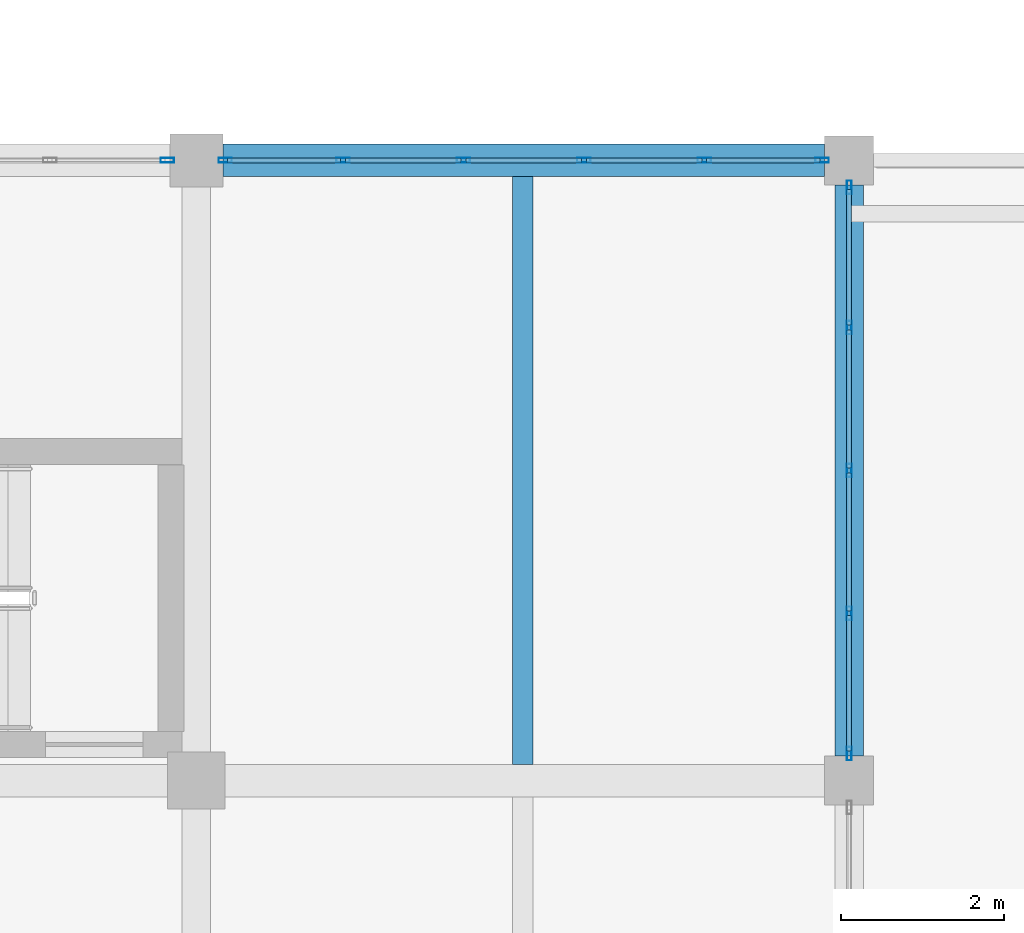
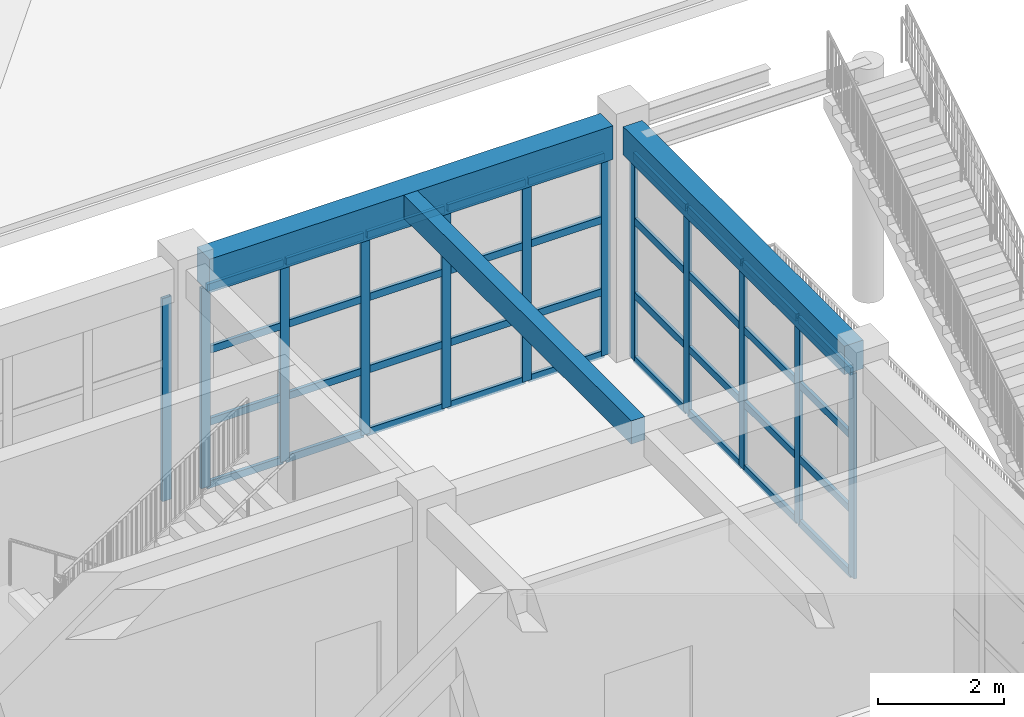
# One storey, part 28 of 50: 48 members, 3 beams, 3 elements without a shape of their own.
"""IFC4 building model written with IfcOpenShell, lengths in metres."""

from ifc_helpers import new_model, si_unit, direction, frame, origin, origin_2d, place, context, subcontext, project, spatial, rectangle, hollow_rectangle, extrude, material, material_profile, profile_set, type_object, element, aggregate, save


model = new_model("IFC4")

# Units and contexts
model_context = context("Model", 3, precision=1e-05, world=origin(), true_north=direction((0.0, 1.0)))
body_context = subcontext(model_context, "Body", "Model", "MODEL_VIEW")
ifc_project = project(units=[si_unit("LENGTHUNIT", "METRE"), si_unit("AREAUNIT", "SQUARE_METRE"), si_unit("VOLUMEUNIT", "CUBIC_METRE"), si_unit("PLANEANGLEUNIT", "RADIAN"), si_unit("MASSUNIT", "GRAM", prefix="KILO")], contexts=[model_context])

# Site, building, storey
site_placement = place(None, origin())
site = spatial("IfcSite", under=ifc_project, at=site_placement, CompositionType="ELEMENT")
building_placement = place(site_placement, origin())
building = spatial("IfcBuilding", under=site, at=building_placement, Name="Zantavel Square City Hall", CompositionType="ELEMENT")
storey_placement = place(building_placement, frame((0.0, 0.0, 18.89990234375)))
storey = spatial("IfcBuildingStorey", under=building, at=storey_placement, Name="L05", CompositionType="ELEMENT", Elevation=18.89990234375)

# Curtain wall, member
ifc_material_1 = material(Name="Anodised aluminium 6063-T6", Category="aluminium")
curtain_wall_type_1 = type_object("IfcCurtainWallType", Name="Curtain Wall TRV1 7350x3920", PredefinedType="USERDEFINED", material=ifc_material_1)
curtain_wall_1_placement = place(storey_placement, origin())
curtain_wall_1 = element("IfcCurtainWall", 1, at=curtain_wall_1_placement, inside=storey, type_object=curtain_wall_type_1, Name="L05 Glazed Curtain Wall CW-L05-127", ObjectType="GLAZED CURTAIN WALL", PredefinedType="USERDEFINED")
ifc_material_profile_1 = material_profile(ifc_material_1, hollow_rectangle(XDim=0.06005859375, YDim=0.1650390625, WallThickness=0.00390625, at=origin_2d()), Name="ALU 60x165x4")
ifc_profile_set_1 = profile_set([ifc_material_profile_1], Name="Anodised aluminium 6063-T6")
member_type_1 = type_object("IfcMemberType", Name="CW Council Gallery Mullion ALU 60x165x4", PredefinedType="MULLION", material=ifc_profile_set_1)
member_1_placement = place(storey_placement, frame((103.64501953125, 68.39990234375, 0.0), z_axis=(0.0, 0.0, 1.0), x_axis=(0.0, 1.0, 0.0)))
member_1 = element("IfcMember", 2, at=member_1_placement, type_object=member_type_1, Name="CW-127 mullion 6", PredefinedType="MULLION", context=body_context, shape_type="SweptSolid", body=[
    extrude(hollow_rectangle(XDim=0.06005859375, YDim=0.1650390625, WallThickness=0.00390625, at=origin_2d()), origin(), (0.0, 0.0, 1.0), 3.920166015625),
])
aggregate(curtain_wall_1, [member_1])

# Curtain wall, members
curtain_wall_type_2 = type_object("IfcCurtainWallType", Name="Curtain Wall TRV1 7375x3870", PredefinedType="USERDEFINED", material=ifc_material_1)
curtain_wall_2_placement = place(storey_placement, origin())
curtain_wall_2 = element("IfcCurtainWall", 3, at=curtain_wall_2_placement, inside=storey, type_object=curtain_wall_type_2, Name="L05 Glazed Curtain Wall CW-L05-128", ObjectType="GLAZED CURTAIN WALL", PredefinedType="USERDEFINED")
member_2_placement = place(storey_placement, frame((104.35498046875, 68.39990234375, 0.0), z_axis=(0.0, 0.0, 1.0), x_axis=(0.0, 1.0, 0.0)))
member_2 = element("IfcMember", 4, at=member_2_placement, type_object=member_type_1, Name="CW-128 mullion 1", PredefinedType="MULLION", context=body_context, shape_type="SweptSolid", body=[
    extrude(hollow_rectangle(XDim=0.06005859375, YDim=0.1650390625, WallThickness=0.00390625, at=origin_2d()), origin(), (0.0, 0.0, 1.0), 3.8701171875),
])
member_3_placement = place(storey_placement, frame((105.800048828125, 68.39990234375, 0.0), z_axis=(0.0, 0.0, 1.0), x_axis=(0.0, 1.0, 0.0)))
member_3 = element("IfcMember", 5, at=member_3_placement, type_object=member_type_1, Name="CW-128 mullion 2", PredefinedType="MULLION", context=body_context, shape_type="SweptSolid", body=[
    extrude(hollow_rectangle(XDim=0.06005859375, YDim=0.1650390625, WallThickness=0.00390625, at=origin_2d()), origin(), (0.0, 0.0, 1.0), 3.8701171875),
])
member_4_placement = place(storey_placement, frame((107.27490234375, 68.39990234375, 0.0), z_axis=(0.0, 0.0, 1.0), x_axis=(0.0, 1.0, 0.0)))
member_4 = element("IfcMember", 6, at=member_4_placement, type_object=member_type_1, Name="CW-128 mullion 3", PredefinedType="MULLION", context=body_context, shape_type="SweptSolid", body=[
    extrude(hollow_rectangle(XDim=0.06005859375, YDim=0.1650390625, WallThickness=0.00390625, at=origin_2d()), origin(), (0.0, 0.0, 1.0), 3.8701171875),
])
member_5_placement = place(storey_placement, frame((108.75, 68.39990234375, 0.0), z_axis=(0.0, 0.0, 1.0), x_axis=(0.0, 1.0, 0.0)))
member_5 = element("IfcMember", 7, at=member_5_placement, type_object=member_type_1, Name="CW-128 mullion 4", PredefinedType="MULLION", context=body_context, shape_type="SweptSolid", body=[
    extrude(hollow_rectangle(XDim=0.06005859375, YDim=0.1650390625, WallThickness=0.00390625, at=origin_2d()), origin(), (0.0, 0.0, 1.0), 3.8701171875),
])
member_6_placement = place(storey_placement, frame((110.22509765625, 68.39990234375, 0.0), z_axis=(0.0, 0.0, 1.0), x_axis=(0.0, 1.0, 0.0)))
member_6 = element("IfcMember", 8, at=member_6_placement, type_object=member_type_1, Name="CW-128 mullion 5", PredefinedType="MULLION", context=body_context, shape_type="SweptSolid", body=[
    extrude(hollow_rectangle(XDim=0.06005859375, YDim=0.1650390625, WallThickness=0.00390625, at=origin_2d()), origin(), (0.0, 0.0, 1.0), 3.8701171875),
])
member_7_placement = place(storey_placement, frame((111.669921875, 68.39990234375, 0.0), z_axis=(0.0, 0.0, 1.0), x_axis=(0.0, 1.0, 0.0)))
member_7 = element("IfcMember", 9, at=member_7_placement, type_object=member_type_1, Name="CW-128 mullion 6", PredefinedType="MULLION", context=body_context, shape_type="SweptSolid", body=[
    extrude(hollow_rectangle(XDim=0.06005859375, YDim=0.1650390625, WallThickness=0.00390625, at=origin_2d()), origin(), (0.0, 0.0, 1.0), 3.8701171875),
])

curtain_wall_type_3 = type_object("IfcCurtainWallType", Name="Curtain Wall TRV1 7000x3970", PredefinedType="USERDEFINED", material=ifc_material_1)
curtain_wall_3_placement = place(storey_placement, origin())
curtain_wall_3 = element("IfcCurtainWall", 10, at=curtain_wall_3_placement, inside=storey, type_object=curtain_wall_type_3, Name="L05 Glazed Curtain Wall CW-L05-129", ObjectType="GLAZED CURTAIN WALL", PredefinedType="USERDEFINED")
member_8_placement = place(storey_placement, frame((112.0, 68.070068359375, 0.0), z_axis=(0.0, 0.0, 1.0), x_axis=(1.0, 0.0, 0.0)))
member_8 = element("IfcMember", 11, at=member_8_placement, type_object=member_type_1, Name="CW-129 mullion 1", PredefinedType="MULLION", context=body_context, shape_type="SweptSolid", body=[
    extrude(hollow_rectangle(XDim=0.06005859375, YDim=0.1650390625, WallThickness=0.00390625, at=origin_2d()), origin(), (0.0, 0.0, 1.0), 3.97021484375),
])
member_9_placement = place(storey_placement, frame((112.0, 66.35009765625, 0.0), z_axis=(0.0, 0.0, 1.0), x_axis=(1.0, 0.0, 0.0)))
member_9 = element("IfcMember", 12, at=member_9_placement, type_object=member_type_1, Name="CW-129 mullion 2", PredefinedType="MULLION", context=body_context, shape_type="SweptSolid", body=[
    extrude(hollow_rectangle(XDim=0.06005859375, YDim=0.1650390625, WallThickness=0.00390625, at=origin_2d()), origin(), (0.0, 0.0, 1.0), 3.97021484375),
])
member_10_placement = place(storey_placement, frame((112.0, 64.60009765625, 0.0), z_axis=(0.0, 0.0, 1.0), x_axis=(1.0, 0.0, 0.0)))
member_10 = element("IfcMember", 13, at=member_10_placement, type_object=member_type_1, Name="CW-129 mullion 3", PredefinedType="MULLION", context=body_context, shape_type="SweptSolid", body=[
    extrude(hollow_rectangle(XDim=0.06005859375, YDim=0.1650390625, WallThickness=0.00390625, at=origin_2d()), origin(), (0.0, 0.0, 1.0), 3.97021484375),
])
member_11_placement = place(storey_placement, frame((112.0, 62.85009765625, 0.0), z_axis=(0.0, 0.0, 1.0), x_axis=(1.0, 0.0, 0.0)))
member_11 = element("IfcMember", 14, at=member_11_placement, type_object=member_type_1, Name="CW-129 mullion 4", PredefinedType="MULLION", context=body_context, shape_type="SweptSolid", body=[
    extrude(hollow_rectangle(XDim=0.06005859375, YDim=0.1650390625, WallThickness=0.00390625, at=origin_2d()), origin(), (0.0, 0.0, 1.0), 3.97021484375),
])
member_12_placement = place(storey_placement, frame((112.0, 61.1298828125, 0.0), z_axis=(0.0, 0.0, 1.0), x_axis=(1.0, 0.0, 0.0)))
member_12 = element("IfcMember", 15, at=member_12_placement, type_object=member_type_1, Name="CW-129 mullion 5", PredefinedType="MULLION", context=body_context, shape_type="SweptSolid", body=[
    extrude(hollow_rectangle(XDim=0.06005859375, YDim=0.1650390625, WallThickness=0.00390625, at=origin_2d()), origin(), (0.0, 0.0, 1.0), 3.97021484375),
])

# Member
ifc_material_profile_2 = material_profile(ifc_material_1, hollow_rectangle(XDim=0.06005859375, YDim=0.139892578125, WallThickness=0.00390625, at=origin_2d()), Name="ALU 60x140x4")
ifc_profile_set_2 = profile_set([ifc_material_profile_2], Name="Anodised aluminium 6063-T6")
member_type_2 = type_object("IfcMemberType", Name="CW Transom ALU 60x140x4", PredefinedType="USERDEFINED", material=ifc_profile_set_2)
member_13_placement = place(storey_placement, frame((104.385009765625, 68.39990234375, 0.030029296875), z_axis=(1.0, 0.0, 0.0), x_axis=(0.0, 1.0, 0.0)))
member_13 = element("IfcMember", 16, at=member_13_placement, type_object=member_type_2, Name="CW-128 transom 1.1", ObjectType="TRANSOM", PredefinedType="USERDEFINED", context=body_context, shape_type="SweptSolid", body=[
    extrude(hollow_rectangle(XDim=0.06005859375, YDim=0.139892578125, WallThickness=0.00390625, at=origin_2d()), origin(), (0.0, 0.0, 1.0), 1.385009765625),
])

member_14_placement = place(storey_placement, frame((104.385009765625, 68.39990234375, 1.238037109375), z_axis=(1.0, 0.0, 0.0), x_axis=(0.0, 1.0, 0.0)))
member_14 = element("IfcMember", 17, at=member_14_placement, type_object=member_type_2, Name="CW-128 transom 1.2", ObjectType="TRANSOM", PredefinedType="USERDEFINED", context=body_context, shape_type="SweptSolid", body=[
    extrude(hollow_rectangle(XDim=0.06005859375, YDim=0.139892578125, WallThickness=0.00390625, at=origin_2d()), origin(), (0.0, 0.0, 1.0), 1.385009765625),
])

member_15_placement = place(storey_placement, frame((104.385009765625, 68.39990234375, 2.632080078125), z_axis=(1.0, 0.0, 0.0), x_axis=(0.0, 1.0, 0.0)))
member_15 = element("IfcMember", 18, at=member_15_placement, type_object=member_type_2, Name="CW-128 transom 1.3", ObjectType="TRANSOM", PredefinedType="USERDEFINED", context=body_context, shape_type="SweptSolid", body=[
    extrude(hollow_rectangle(XDim=0.06005859375, YDim=0.139892578125, WallThickness=0.00390625, at=origin_2d()), origin(), (0.0, 0.0, 1.0), 1.385009765625),
])

member_16_placement = place(storey_placement, frame((104.385009765625, 68.39990234375, 3.840087890625), z_axis=(1.0, 0.0, 0.0), x_axis=(0.0, 1.0, 0.0)))
member_16 = element("IfcMember", 19, at=member_16_placement, type_object=member_type_2, Name="CW-128 transom 1.4", ObjectType="TRANSOM", PredefinedType="USERDEFINED", context=body_context, shape_type="SweptSolid", body=[
    extrude(hollow_rectangle(XDim=0.06005859375, YDim=0.139892578125, WallThickness=0.00390625, at=origin_2d()), origin(), (0.0, 0.0, 1.0), 1.385009765625),
])

member_17_placement = place(storey_placement, frame((105.830078125, 68.39990234375, 0.030029296875), z_axis=(1.0, 0.0, 0.0), x_axis=(0.0, 1.0, 0.0)))
member_17 = element("IfcMember", 20, at=member_17_placement, type_object=member_type_2, Name="CW-128 transom 2.1", ObjectType="TRANSOM", PredefinedType="USERDEFINED", context=body_context, shape_type="SweptSolid", body=[
    extrude(hollow_rectangle(XDim=0.06005859375, YDim=0.139892578125, WallThickness=0.00390625, at=origin_2d()), origin(), (0.0, 0.0, 1.0), 1.4150390625),
])

member_18_placement = place(storey_placement, frame((105.830078125, 68.39990234375, 1.238037109375), z_axis=(1.0, 0.0, 0.0), x_axis=(0.0, 1.0, 0.0)))
member_18 = element("IfcMember", 21, at=member_18_placement, type_object=member_type_2, Name="CW-128 transom 2.2", ObjectType="TRANSOM", PredefinedType="USERDEFINED", context=body_context, shape_type="SweptSolid", body=[
    extrude(hollow_rectangle(XDim=0.06005859375, YDim=0.139892578125, WallThickness=0.00390625, at=origin_2d()), origin(), (0.0, 0.0, 1.0), 1.4150390625),
])

member_19_placement = place(storey_placement, frame((105.830078125, 68.39990234375, 2.632080078125), z_axis=(1.0, 0.0, 0.0), x_axis=(0.0, 1.0, 0.0)))
member_19 = element("IfcMember", 22, at=member_19_placement, type_object=member_type_2, Name="CW-128 transom 2.3", ObjectType="TRANSOM", PredefinedType="USERDEFINED", context=body_context, shape_type="SweptSolid", body=[
    extrude(hollow_rectangle(XDim=0.06005859375, YDim=0.139892578125, WallThickness=0.00390625, at=origin_2d()), origin(), (0.0, 0.0, 1.0), 1.4150390625),
])

member_20_placement = place(storey_placement, frame((105.830078125, 68.39990234375, 3.840087890625), z_axis=(1.0, 0.0, 0.0), x_axis=(0.0, 1.0, 0.0)))
member_20 = element("IfcMember", 23, at=member_20_placement, type_object=member_type_2, Name="CW-128 transom 2.4", ObjectType="TRANSOM", PredefinedType="USERDEFINED", context=body_context, shape_type="SweptSolid", body=[
    extrude(hollow_rectangle(XDim=0.06005859375, YDim=0.139892578125, WallThickness=0.00390625, at=origin_2d()), origin(), (0.0, 0.0, 1.0), 1.4150390625),
])

member_21_placement = place(storey_placement, frame((107.304931640625, 68.39990234375, 0.030029296875), z_axis=(1.0, 0.0, 0.0), x_axis=(0.0, 1.0, 0.0)))
member_21 = element("IfcMember", 24, at=member_21_placement, type_object=member_type_2, Name="CW-128 transom 3.1", ObjectType="TRANSOM", PredefinedType="USERDEFINED", context=body_context, shape_type="SweptSolid", body=[
    extrude(hollow_rectangle(XDim=0.06005859375, YDim=0.139892578125, WallThickness=0.00390625, at=origin_2d()), origin(), (0.0, 0.0, 1.0), 1.4150390625),
])

member_22_placement = place(storey_placement, frame((107.304931640625, 68.39990234375, 1.238037109375), z_axis=(1.0, 0.0, 0.0), x_axis=(0.0, 1.0, 0.0)))
member_22 = element("IfcMember", 25, at=member_22_placement, type_object=member_type_2, Name="CW-128 transom 3.2", ObjectType="TRANSOM", PredefinedType="USERDEFINED", context=body_context, shape_type="SweptSolid", body=[
    extrude(hollow_rectangle(XDim=0.06005859375, YDim=0.139892578125, WallThickness=0.00390625, at=origin_2d()), origin(), (0.0, 0.0, 1.0), 1.4150390625),
])

member_23_placement = place(storey_placement, frame((107.304931640625, 68.39990234375, 2.632080078125), z_axis=(1.0, 0.0, 0.0), x_axis=(0.0, 1.0, 0.0)))
member_23 = element("IfcMember", 26, at=member_23_placement, type_object=member_type_2, Name="CW-128 transom 3.3", ObjectType="TRANSOM", PredefinedType="USERDEFINED", context=body_context, shape_type="SweptSolid", body=[
    extrude(hollow_rectangle(XDim=0.06005859375, YDim=0.139892578125, WallThickness=0.00390625, at=origin_2d()), origin(), (0.0, 0.0, 1.0), 1.4150390625),
])

member_24_placement = place(storey_placement, frame((107.304931640625, 68.39990234375, 3.840087890625), z_axis=(1.0, 0.0, 0.0), x_axis=(0.0, 1.0, 0.0)))
member_24 = element("IfcMember", 27, at=member_24_placement, type_object=member_type_2, Name="CW-128 transom 3.4", ObjectType="TRANSOM", PredefinedType="USERDEFINED", context=body_context, shape_type="SweptSolid", body=[
    extrude(hollow_rectangle(XDim=0.06005859375, YDim=0.139892578125, WallThickness=0.00390625, at=origin_2d()), origin(), (0.0, 0.0, 1.0), 1.4150390625),
])

member_25_placement = place(storey_placement, frame((108.780029296875, 68.39990234375, 0.030029296875), z_axis=(1.0, 0.0, 0.0), x_axis=(0.0, 1.0, 0.0)))
member_25 = element("IfcMember", 28, at=member_25_placement, type_object=member_type_2, Name="CW-128 transom 4.1", ObjectType="TRANSOM", PredefinedType="USERDEFINED", context=body_context, shape_type="SweptSolid", body=[
    extrude(hollow_rectangle(XDim=0.06005859375, YDim=0.139892578125, WallThickness=0.00390625, at=origin_2d()), origin(), (0.0, 0.0, 1.0), 1.4150390625),
])

member_26_placement = place(storey_placement, frame((108.780029296875, 68.39990234375, 1.238037109375), z_axis=(1.0, 0.0, 0.0), x_axis=(0.0, 1.0, 0.0)))
member_26 = element("IfcMember", 29, at=member_26_placement, type_object=member_type_2, Name="CW-128 transom 4.2", ObjectType="TRANSOM", PredefinedType="USERDEFINED", context=body_context, shape_type="SweptSolid", body=[
    extrude(hollow_rectangle(XDim=0.06005859375, YDim=0.139892578125, WallThickness=0.00390625, at=origin_2d()), origin(), (0.0, 0.0, 1.0), 1.4150390625),
])

member_27_placement = place(storey_placement, frame((108.780029296875, 68.39990234375, 2.632080078125), z_axis=(1.0, 0.0, 0.0), x_axis=(0.0, 1.0, 0.0)))
member_27 = element("IfcMember", 30, at=member_27_placement, type_object=member_type_2, Name="CW-128 transom 4.3", ObjectType="TRANSOM", PredefinedType="USERDEFINED", context=body_context, shape_type="SweptSolid", body=[
    extrude(hollow_rectangle(XDim=0.06005859375, YDim=0.139892578125, WallThickness=0.00390625, at=origin_2d()), origin(), (0.0, 0.0, 1.0), 1.4150390625),
])

member_28_placement = place(storey_placement, frame((108.780029296875, 68.39990234375, 3.840087890625), z_axis=(1.0, 0.0, 0.0), x_axis=(0.0, 1.0, 0.0)))
member_28 = element("IfcMember", 31, at=member_28_placement, type_object=member_type_2, Name="CW-128 transom 4.4", ObjectType="TRANSOM", PredefinedType="USERDEFINED", context=body_context, shape_type="SweptSolid", body=[
    extrude(hollow_rectangle(XDim=0.06005859375, YDim=0.139892578125, WallThickness=0.00390625, at=origin_2d()), origin(), (0.0, 0.0, 1.0), 1.4150390625),
])

member_29_placement = place(storey_placement, frame((110.2548828125, 68.39990234375, 0.030029296875), z_axis=(1.0, 0.0, 0.0), x_axis=(0.0, 1.0, 0.0)))
member_29 = element("IfcMember", 32, at=member_29_placement, type_object=member_type_2, Name="CW-128 transom 5.1", ObjectType="TRANSOM", PredefinedType="USERDEFINED", context=body_context, shape_type="SweptSolid", body=[
    extrude(hollow_rectangle(XDim=0.06005859375, YDim=0.139892578125, WallThickness=0.00390625, at=origin_2d()), origin(), (0.0, 0.0, 1.0), 1.385009765625),
])

member_30_placement = place(storey_placement, frame((110.2548828125, 68.39990234375, 1.238037109375), z_axis=(1.0, 0.0, 0.0), x_axis=(0.0, 1.0, 0.0)))
member_30 = element("IfcMember", 33, at=member_30_placement, type_object=member_type_2, Name="CW-128 transom 5.2", ObjectType="TRANSOM", PredefinedType="USERDEFINED", context=body_context, shape_type="SweptSolid", body=[
    extrude(hollow_rectangle(XDim=0.06005859375, YDim=0.139892578125, WallThickness=0.00390625, at=origin_2d()), origin(), (0.0, 0.0, 1.0), 1.385009765625),
])

member_31_placement = place(storey_placement, frame((110.2548828125, 68.39990234375, 2.632080078125), z_axis=(1.0, 0.0, 0.0), x_axis=(0.0, 1.0, 0.0)))
member_31 = element("IfcMember", 34, at=member_31_placement, type_object=member_type_2, Name="CW-128 transom 5.3", ObjectType="TRANSOM", PredefinedType="USERDEFINED", context=body_context, shape_type="SweptSolid", body=[
    extrude(hollow_rectangle(XDim=0.06005859375, YDim=0.139892578125, WallThickness=0.00390625, at=origin_2d()), origin(), (0.0, 0.0, 1.0), 1.385009765625),
])

member_32_placement = place(storey_placement, frame((110.2548828125, 68.39990234375, 3.840087890625), z_axis=(1.0, 0.0, 0.0), x_axis=(0.0, 1.0, 0.0)))
member_32 = element("IfcMember", 35, at=member_32_placement, type_object=member_type_2, Name="CW-128 transom 5.4", ObjectType="TRANSOM", PredefinedType="USERDEFINED", context=body_context, shape_type="SweptSolid", body=[
    extrude(hollow_rectangle(XDim=0.06005859375, YDim=0.139892578125, WallThickness=0.00390625, at=origin_2d()), origin(), (0.0, 0.0, 1.0), 1.385009765625),
])

aggregate(curtain_wall_2, [member_2, member_3, member_4, member_5, member_6, member_7, member_13, member_14, member_15, member_16, member_17, member_18, member_19, member_20, member_21, member_22, member_23, member_24, member_25, member_26, member_27, member_28, member_29, member_30, member_31, member_32])

member_33_placement = place(storey_placement, frame((112.0, 68.0400390625, 0.030029296875), z_axis=(0.0, -1.0, 0.0), x_axis=(1.0, 0.0, 0.0)))
member_33 = element("IfcMember", 36, at=member_33_placement, type_object=member_type_2, Name="CW-129 transom 1.1", ObjectType="TRANSOM", PredefinedType="USERDEFINED", context=body_context, shape_type="SweptSolid", body=[
    extrude(hollow_rectangle(XDim=0.06005859375, YDim=0.139892578125, WallThickness=0.00390625, at=origin_2d()), origin(), (0.0, 0.0, 1.0), 1.66015625),
])

member_34_placement = place(storey_placement, frame((112.0, 68.0400390625, 1.27001953125), z_axis=(0.0, -1.0, 0.0), x_axis=(1.0, 0.0, 0.0)))
member_34 = element("IfcMember", 37, at=member_34_placement, type_object=member_type_2, Name="CW-129 transom 1.2", ObjectType="TRANSOM", PredefinedType="USERDEFINED", context=body_context, shape_type="SweptSolid", body=[
    extrude(hollow_rectangle(XDim=0.06005859375, YDim=0.139892578125, WallThickness=0.00390625, at=origin_2d()), origin(), (0.0, 0.0, 1.0), 1.66015625),
])

member_35_placement = place(storey_placement, frame((112.0, 68.0400390625, 2.7001953125), z_axis=(0.0, -1.0, 0.0), x_axis=(1.0, 0.0, 0.0)))
member_35 = element("IfcMember", 38, at=member_35_placement, type_object=member_type_2, Name="CW-129 transom 1.3", ObjectType="TRANSOM", PredefinedType="USERDEFINED", context=body_context, shape_type="SweptSolid", body=[
    extrude(hollow_rectangle(XDim=0.06005859375, YDim=0.139892578125, WallThickness=0.00390625, at=origin_2d()), origin(), (0.0, 0.0, 1.0), 1.66015625),
])

member_36_placement = place(storey_placement, frame((112.0, 68.0400390625, 3.940185546875), z_axis=(0.0, -1.0, 0.0), x_axis=(1.0, 0.0, 0.0)))
member_36 = element("IfcMember", 39, at=member_36_placement, type_object=member_type_2, Name="CW-129 transom 1.4", ObjectType="TRANSOM", PredefinedType="USERDEFINED", context=body_context, shape_type="SweptSolid", body=[
    extrude(hollow_rectangle(XDim=0.06005859375, YDim=0.139892578125, WallThickness=0.00390625, at=origin_2d()), origin(), (0.0, 0.0, 1.0), 1.66015625),
])

member_37_placement = place(storey_placement, frame((112.0, 66.320068359375, 0.030029296875), z_axis=(0.0, -1.0, 0.0), x_axis=(1.0, 0.0, 0.0)))
member_37 = element("IfcMember", 40, at=member_37_placement, type_object=member_type_2, Name="CW-129 transom 2.1", ObjectType="TRANSOM", PredefinedType="USERDEFINED", context=body_context, shape_type="SweptSolid", body=[
    extrude(hollow_rectangle(XDim=0.06005859375, YDim=0.139892578125, WallThickness=0.00390625, at=origin_2d()), origin(), (0.0, 0.0, 1.0), 1.690185546875),
])

member_38_placement = place(storey_placement, frame((112.0, 66.320068359375, 1.27001953125), z_axis=(0.0, -1.0, 0.0), x_axis=(1.0, 0.0, 0.0)))
member_38 = element("IfcMember", 41, at=member_38_placement, type_object=member_type_2, Name="CW-129 transom 2.2", ObjectType="TRANSOM", PredefinedType="USERDEFINED", context=body_context, shape_type="SweptSolid", body=[
    extrude(hollow_rectangle(XDim=0.06005859375, YDim=0.139892578125, WallThickness=0.00390625, at=origin_2d()), origin(), (0.0, 0.0, 1.0), 1.690185546875),
])

member_39_placement = place(storey_placement, frame((112.0, 66.320068359375, 2.7001953125), z_axis=(0.0, -1.0, 0.0), x_axis=(1.0, 0.0, 0.0)))
member_39 = element("IfcMember", 42, at=member_39_placement, type_object=member_type_2, Name="CW-129 transom 2.3", ObjectType="TRANSOM", PredefinedType="USERDEFINED", context=body_context, shape_type="SweptSolid", body=[
    extrude(hollow_rectangle(XDim=0.06005859375, YDim=0.139892578125, WallThickness=0.00390625, at=origin_2d()), origin(), (0.0, 0.0, 1.0), 1.690185546875),
])

member_40_placement = place(storey_placement, frame((112.0, 66.320068359375, 3.940185546875), z_axis=(0.0, -1.0, 0.0), x_axis=(1.0, 0.0, 0.0)))
member_40 = element("IfcMember", 43, at=member_40_placement, type_object=member_type_2, Name="CW-129 transom 2.4", ObjectType="TRANSOM", PredefinedType="USERDEFINED", context=body_context, shape_type="SweptSolid", body=[
    extrude(hollow_rectangle(XDim=0.06005859375, YDim=0.139892578125, WallThickness=0.00390625, at=origin_2d()), origin(), (0.0, 0.0, 1.0), 1.690185546875),
])

member_41_placement = place(storey_placement, frame((112.0, 64.570068359375, 0.030029296875), z_axis=(0.0, -1.0, 0.0), x_axis=(1.0, 0.0, 0.0)))
member_41 = element("IfcMember", 44, at=member_41_placement, type_object=member_type_2, Name="CW-129 transom 3.1", ObjectType="TRANSOM", PredefinedType="USERDEFINED", context=body_context, shape_type="SweptSolid", body=[
    extrude(hollow_rectangle(XDim=0.06005859375, YDim=0.139892578125, WallThickness=0.00390625, at=origin_2d()), origin(), (0.0, 0.0, 1.0), 1.690185546875),
])

member_42_placement = place(storey_placement, frame((112.0, 64.570068359375, 1.27001953125), z_axis=(0.0, -1.0, 0.0), x_axis=(1.0, 0.0, 0.0)))
member_42 = element("IfcMember", 45, at=member_42_placement, type_object=member_type_2, Name="CW-129 transom 3.2", ObjectType="TRANSOM", PredefinedType="USERDEFINED", context=body_context, shape_type="SweptSolid", body=[
    extrude(hollow_rectangle(XDim=0.06005859375, YDim=0.139892578125, WallThickness=0.00390625, at=origin_2d()), origin(), (0.0, 0.0, 1.0), 1.690185546875),
])

member_43_placement = place(storey_placement, frame((112.0, 64.570068359375, 2.7001953125), z_axis=(0.0, -1.0, 0.0), x_axis=(1.0, 0.0, 0.0)))
member_43 = element("IfcMember", 46, at=member_43_placement, type_object=member_type_2, Name="CW-129 transom 3.3", ObjectType="TRANSOM", PredefinedType="USERDEFINED", context=body_context, shape_type="SweptSolid", body=[
    extrude(hollow_rectangle(XDim=0.06005859375, YDim=0.139892578125, WallThickness=0.00390625, at=origin_2d()), origin(), (0.0, 0.0, 1.0), 1.690185546875),
])

member_44_placement = place(storey_placement, frame((112.0, 64.570068359375, 3.940185546875), z_axis=(0.0, -1.0, 0.0), x_axis=(1.0, 0.0, 0.0)))
member_44 = element("IfcMember", 47, at=member_44_placement, type_object=member_type_2, Name="CW-129 transom 3.4", ObjectType="TRANSOM", PredefinedType="USERDEFINED", context=body_context, shape_type="SweptSolid", body=[
    extrude(hollow_rectangle(XDim=0.06005859375, YDim=0.139892578125, WallThickness=0.00390625, at=origin_2d()), origin(), (0.0, 0.0, 1.0), 1.690185546875),
])

member_45_placement = place(storey_placement, frame((112.0, 62.820068359375, 0.030029296875), z_axis=(0.0, -1.0, 0.0), x_axis=(1.0, 0.0, 0.0)))
member_45 = element("IfcMember", 48, at=member_45_placement, type_object=member_type_2, Name="CW-129 transom 4.1", ObjectType="TRANSOM", PredefinedType="USERDEFINED", context=body_context, shape_type="SweptSolid", body=[
    extrude(hollow_rectangle(XDim=0.06005859375, YDim=0.139892578125, WallThickness=0.00390625, at=origin_2d()), origin(), (0.0, 0.0, 1.0), 1.66015625),
])

member_46_placement = place(storey_placement, frame((112.0, 62.820068359375, 1.27001953125), z_axis=(0.0, -1.0, 0.0), x_axis=(1.0, 0.0, 0.0)))
member_46 = element("IfcMember", 49, at=member_46_placement, type_object=member_type_2, Name="CW-129 transom 4.2", ObjectType="TRANSOM", PredefinedType="USERDEFINED", context=body_context, shape_type="SweptSolid", body=[
    extrude(hollow_rectangle(XDim=0.06005859375, YDim=0.139892578125, WallThickness=0.00390625, at=origin_2d()), origin(), (0.0, 0.0, 1.0), 1.66015625),
])

member_47_placement = place(storey_placement, frame((112.0, 62.820068359375, 2.7001953125), z_axis=(0.0, -1.0, 0.0), x_axis=(1.0, 0.0, 0.0)))
member_47 = element("IfcMember", 50, at=member_47_placement, type_object=member_type_2, Name="CW-129 transom 4.3", ObjectType="TRANSOM", PredefinedType="USERDEFINED", context=body_context, shape_type="SweptSolid", body=[
    extrude(hollow_rectangle(XDim=0.06005859375, YDim=0.139892578125, WallThickness=0.00390625, at=origin_2d()), origin(), (0.0, 0.0, 1.0), 1.66015625),
])

member_48_placement = place(storey_placement, frame((112.0, 62.820068359375, 3.940185546875), z_axis=(0.0, -1.0, 0.0), x_axis=(1.0, 0.0, 0.0)))
member_48 = element("IfcMember", 51, at=member_48_placement, type_object=member_type_2, Name="CW-129 transom 4.4", ObjectType="TRANSOM", PredefinedType="USERDEFINED", context=body_context, shape_type="SweptSolid", body=[
    extrude(hollow_rectangle(XDim=0.06005859375, YDim=0.139892578125, WallThickness=0.00390625, at=origin_2d()), origin(), (0.0, 0.0, 1.0), 1.66015625),
])

aggregate(curtain_wall_3, [member_8, member_9, member_10, member_11, member_12, member_33, member_34, member_35, member_36, member_37, member_38, member_39, member_40, member_41, member_42, member_43, member_44, member_45, member_46, member_47, member_48])

# Beams
ifc_material_2 = material(Name="Concrete C35/45", Category="concrete")
ifc_material_profile_3 = material_profile(ifc_material_2, rectangle(XDim=0.39990234375, YDim=0.64990234375, at=origin_2d()), Name="RC 400x650")
ifc_profile_set_3 = profile_set([ifc_material_profile_3], Name="Concrete C35/45")
beam_type_1 = type_object("IfcBeamType", Name="Frame Beam RC 400x650 C35/45", PredefinedType="BEAM", material=ifc_profile_set_3)
beam_1_placement = place(storey_placement, frame((104.324951171875, 68.39990234375, 4.195068359375), z_axis=(1.0, 0.0, 0.0), x_axis=(0.0, 1.0, 0.0)))
element("IfcBeam", 52, at=beam_1_placement, inside=storey, type_object=beam_type_1, Name="L05 Girder BMX-L05-1040-0684", PredefinedType="BEAM", context=body_context, shape_type="SweptSolid", body=[
    extrude(rectangle(XDim=0.39990234375, YDim=0.64990234375, at=origin_2d()), origin(), (0.0, 0.0, 1.0), 7.375),
])
ifc_material_profile_4 = material_profile(ifc_material_2, rectangle(XDim=0.25, YDim=0.449951171875, at=origin_2d()), Name="RC 250x450")
ifc_profile_set_4 = profile_set([ifc_material_profile_4], Name="Concrete C35/45")
beam_type_2 = type_object("IfcBeamType", Name="Light Floor Joist RC 250x450 C35/45", PredefinedType="JOIST", material=ifc_profile_set_4)
beam_2_placement = place(storey_placement, frame((108.0, 61.0, 4.295166015625), z_axis=(0.0, 1.0, 0.0), x_axis=(-1.0, 0.0, 0.0)))
element("IfcBeam", 53, at=beam_2_placement, inside=storey, type_object=beam_type_2, Name="L05 Floor Joist JST-L05-1080-0608", PredefinedType="JOIST", context=body_context, shape_type="SweptSolid", body=[
    extrude(rectangle(XDim=0.25, YDim=0.449951171875, at=origin_2d()), origin(), (0.0, 0.0, 1.0), 7.199951171875),
])
ifc_material_profile_5 = material_profile(ifc_material_2, rectangle(XDim=0.35009765625, YDim=0.550048828125, at=origin_2d()), Name="RC 350x550")
ifc_profile_set_5 = profile_set([ifc_material_profile_5], Name="Concrete C35/45")
beam_type_3 = type_object("IfcBeamType", Name="Secondary Beam RC 350x550 C35/45", PredefinedType="BEAM", material=ifc_profile_set_5)
beam_3_placement = place(storey_placement, frame((112.0, 61.10009765625, 4.2451171875), z_axis=(0.0, 1.0, 0.0), x_axis=(-1.0, 0.0, 0.0)))
element("IfcBeam", 54, at=beam_3_placement, inside=storey, type_object=beam_type_3, Name="L05 Beam BMY-L05-1120-0608", PredefinedType="BEAM", context=body_context, shape_type="SweptSolid", body=[
    extrude(rectangle(XDim=0.35009765625, YDim=0.550048828125, at=origin_2d()), origin(), (0.0, 0.0, 1.0), 7.0),
])

save(model, "model.ifc")
